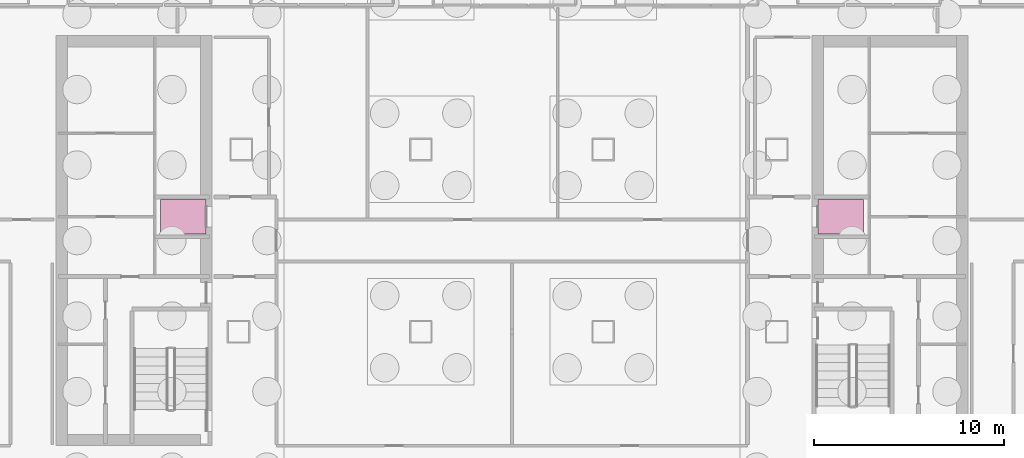
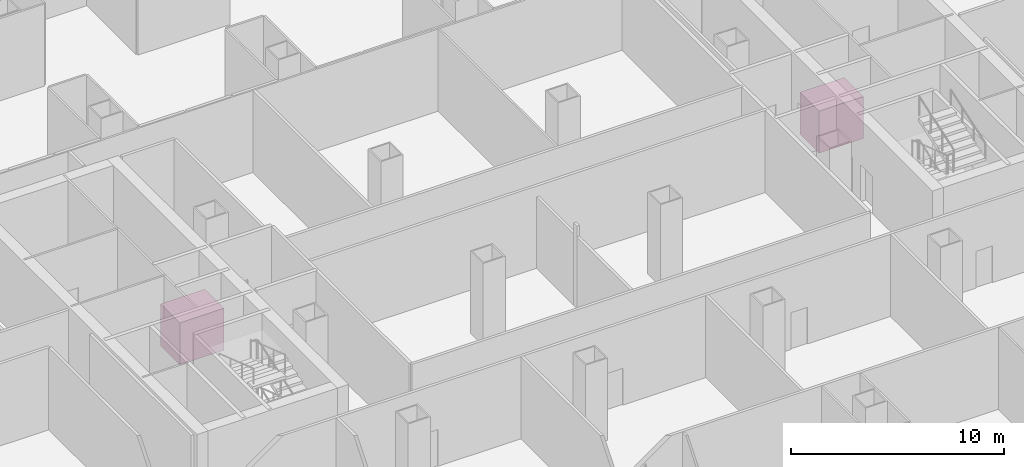
# One storey, part 17 of 17: 2 transport elements.
"""IFC4 building model written with IfcOpenShell, lengths in metres."""

from ifc_helpers import new_model, si_unit, direction, frame, origin, origin_2d, place, context, subcontext, project, spatial, rectangle, extrude, material, type_object, element, save


model = new_model("IFC4")

# Units and contexts
model_context = context("Model", 3, precision=1e-05, world=origin(), true_north=direction((0.0, 1.0)))
body_context = subcontext(model_context, "Body", "Model", "MODEL_VIEW")
ifc_project = project(units=[si_unit("LENGTHUNIT", "METRE"), si_unit("AREAUNIT", "SQUARE_METRE"), si_unit("VOLUMEUNIT", "CUBIC_METRE"), si_unit("PLANEANGLEUNIT", "RADIAN"), si_unit("MASSUNIT", "GRAM", prefix="KILO")], contexts=[model_context])

# Site, building, storey
site_placement = place(None, origin())
site = spatial("IfcSite", under=ifc_project, at=site_placement, CompositionType="ELEMENT")
building_placement = place(site_placement, origin())
building = spatial("IfcBuilding", under=site, at=building_placement, Name="Cobrizo Arcos Hotel Tower", CompositionType="ELEMENT")
storey_placement = place(building_placement, frame((0.0, 0.0, -10.0)))
storey = spatial("IfcBuildingStorey", under=building, at=storey_placement, Name="B2", CompositionType="ELEMENT", Elevation=-10.0)

# Transport elements
ifc_material = material(Name="Stainless steel car", Category="steel")
transport_element_type = type_object("IfcTransportElementType", Name="Lift car Svc 1.8x2.4", PredefinedType="ELEVATOR", material=ifc_material)
for number, where, z_axis, x_axis, name in (
    (1, (-17.300048828125, 1.25, 0.0), (0.0, 0.0, 1.0), (1.0, 0.0, 0.0), "Service lift W"),
    (2, (17.300048828125, 1.25, 0.0), (0.0, 0.0, 1.0), (1.0, 0.0, 0.0), "Service lift E"),
):
    element("IfcTransportElement", number, at=place(storey_placement, frame(where, z_axis=z_axis, x_axis=x_axis)), inside=storey, type_object=transport_element_type, Name=name, PredefinedType="ELEVATOR", context=body_context, shape_type="SweptSolid", body=[
        extrude(rectangle(XDim=2.39990234375, YDim=1.800048828125, at=origin_2d()), origin(), (0.0, 0.0, 1.0), 2.39990234375),
    ])

save(model, "model.ifc")
